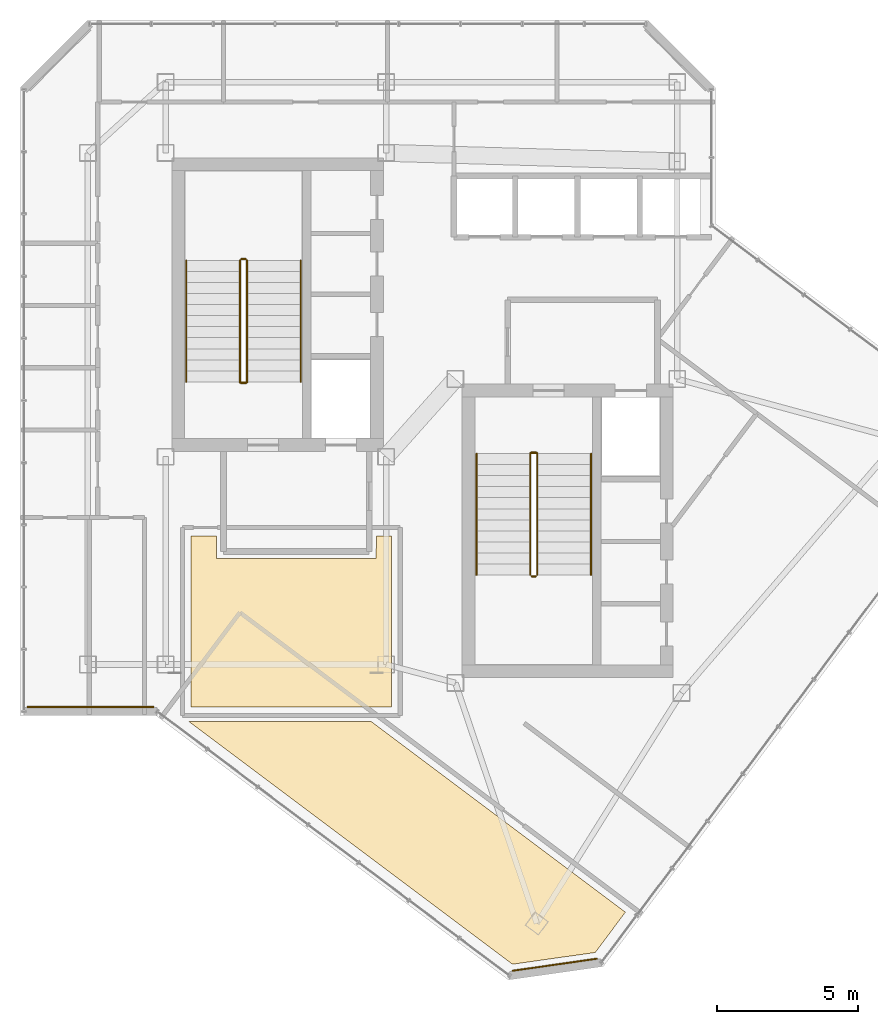
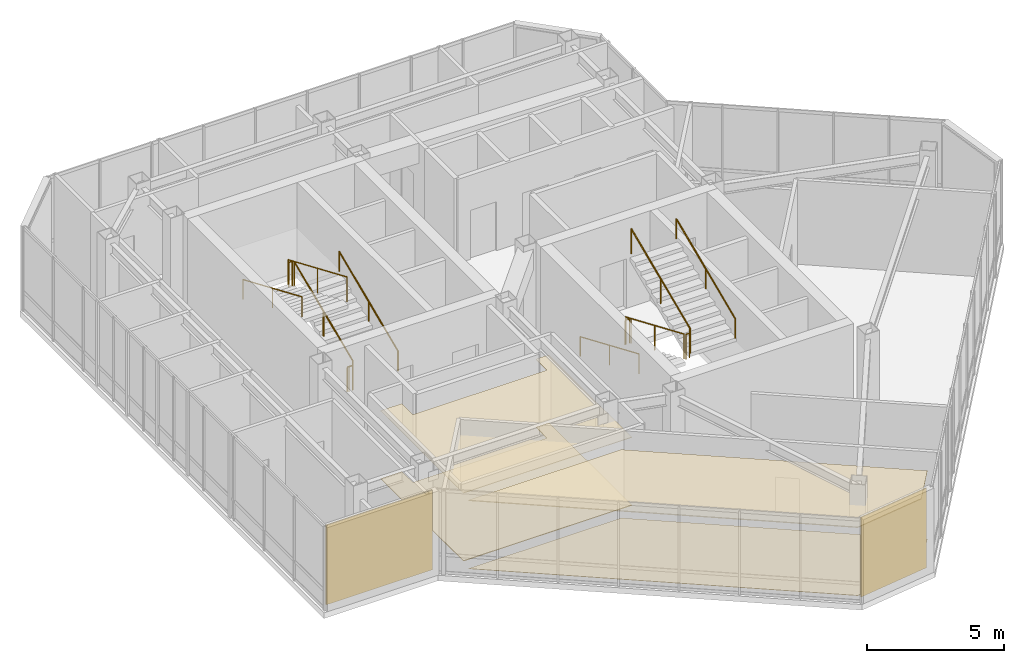
# One storey, part 29 of 30: 14 railings, 6 coverings.
"""IFC4 building model written with IfcOpenShell, lengths in metres."""

from ifc_helpers import new_model, si_unit, direction, frame, origin, origin_2d, place, context, subcontext, project, spatial, polyline, rectangle, circle, outline, extrude, material, layer, layer_set, type_object, element, save


model = new_model("IFC4")

# Units and contexts
model_context = context("Model", 3, precision=1e-05, world=origin(), true_north=direction((0.0, 1.0)))
body_context = subcontext(model_context, "Body", "Model", "MODEL_VIEW")
ifc_project = project(units=[si_unit("LENGTHUNIT", "METRE"), si_unit("AREAUNIT", "SQUARE_METRE"), si_unit("VOLUMEUNIT", "CUBIC_METRE"), si_unit("PLANEANGLEUNIT", "RADIAN"), si_unit("MASSUNIT", "GRAM", prefix="KILO")], contexts=[model_context])

# Site, building, storey
site_placement = place(None, origin())
site = spatial("IfcSite", under=ifc_project, at=site_placement, CompositionType="ELEMENT")
building_placement = place(site_placement, origin())
building = spatial("IfcBuilding", under=site, at=building_placement, Name="Hatsunagi Terrace Concourse", CompositionType="ELEMENT")
storey_placement = place(building_placement, frame((0.0, 0.0, 273.949951171875)))
storey = spatial("IfcBuildingStorey", under=building, at=storey_placement, Name="L72", CompositionType="ELEMENT", Elevation=273.949951171875)

# Coverings
ifc_material_1 = material(Name="Acoustic mineral board", Category="gypsum")
ifc_layer_1 = layer(ifc_material_1, 0.02001953125)
ifc_layer_set_1 = layer_set([ifc_layer_1], Name="AcousticMineralCeiling_20")
covering_type_1 = type_object("IfcCoveringType", Name="AcousticMineralCeiling_20", PredefinedType="CEILING", material=ifc_layer_set_1)
covering_1_placement = place(storey_placement, frame((0.0, 0.0, 3.030029296875)))
element("IfcCovering", 1, at=covering_1_placement, inside=storey, type_object=covering_type_1, Name="Suspended Ceiling L72-2", PredefinedType="CEILING", context=body_context, shape_type="SweptSolid", body=[
    extrude(outline(polyline([(33.550048828125, 29.75), (33.006103515625, 29.75), (32.9990234375, 28.94189453125), (27.35205078125, 28.94189453125), (27.343994140625, 29.75), (26.449951171875, 29.75), (26.449951171875, 23.699951171875), (33.550048828125, 23.699951171875), (33.550048828125, 29.75)])), origin(), (0.0, 0.0, 1.0), 0.02001953125),
])
ifc_material_2 = material(Name="Granite stone paving", Category="masonry")
ifc_layer_2 = layer(ifc_material_2, 0.02490234375)
ifc_layer_set_2 = layer_set([ifc_layer_2], Name="GraniteStoneFlooring_25")
covering_type_2 = type_object("IfcCoveringType", Name="GraniteStoneFlooring_25", PredefinedType="FLOORING", material=ifc_layer_set_2)
covering_2_placement = place(storey_placement, origin())
element("IfcCovering", 2, at=covering_2_placement, inside=storey, type_object=covering_type_2, Name="Finished Flooring L72-2", PredefinedType="FLOORING", context=body_context, shape_type="SweptSolid", body=[
    extrude(outline(polyline([(33.550048828125, 29.75), (33.006103515625, 29.75), (32.9990234375, 28.94189453125), (27.35205078125, 28.94189453125), (27.343994140625, 29.75), (26.449951171875, 29.75), (26.449951171875, 23.699951171875), (33.550048828125, 23.699951171875), (33.550048828125, 29.75)])), origin(), (0.0, 0.0, 1.0), 0.025146484375),
])
ifc_material_3 = material(Name="Hardwood timber", Category="wood")
ifc_layer_3 = layer(ifc_material_3, 0.014892578125)
ifc_layer_set_3 = layer_set([ifc_layer_3], Name="HardwoodTimberFlooring_15")
covering_type_3 = type_object("IfcCoveringType", Name="HardwoodTimberFlooring_15", PredefinedType="FLOORING", material=ifc_layer_set_3)
covering_3_placement = place(storey_placement, origin())
element("IfcCovering", 3, at=covering_3_placement, inside=storey, type_object=covering_type_3, Name="Finished Flooring L72-1", PredefinedType="FLOORING", context=body_context, shape_type="SweptSolid", body=[
    extrude(outline(polyline([(26.361083984375, 23.19189453125), (37.822021484375, 14.595947265625), (40.748046875, 15.013916015625), (41.81591796875, 16.43798828125), (32.81103515625, 23.19189453125), (26.361083984375, 23.19189453125)])), origin(), (0.0, 0.0, 1.0), 0.01513671875),
])

# Railings
ifc_material_4 = material(Name="Stainless steel", Category="steel")
ifc_layer_4 = layer(ifc_material_4, 0.044921875)
ifc_layer_set_4 = layer_set([ifc_layer_4], Name="StairPitchHandrail_Tower2000")
railing_type_1 = type_object("IfcRailingType", Name="StairPitchHandrail_Tower2000", PredefinedType="HANDRAIL", material=ifc_layer_set_4)
railing_1_placement = place(storey_placement, frame((30.330078125, 35.199951171875, 0.166748046875)))
element("IfcRailing", 4, at=railing_1_placement, inside=storey, type_object=railing_type_1, Name="L72 ST-A stair handrail 1", PredefinedType="HANDRAIL", context=body_context, shape_type="SweptSolid", body=[
    extrude(circle(Radius=0.02392578125, at=origin_2d()), frame((0.0, 0.0, 0.8759765625), z_axis=(0.0, 0.919558658016, 0.39295276366), x_axis=(-1.0, 0.0, 0.0)), (0.0, 0.0, 1.0), 4.665283203125),
    extrude(circle(Radius=0.02099609375, at=origin_2d()), origin(), (0.0, 0.0, 1.0), 0.851806640625),
    extrude(circle(Radius=0.02099609375, at=origin_2d()), frame((0.0, 2.14501953125, 0.91650390625)), (0.0, 0.0, 1.0), 0.851806640625),
    extrude(circle(Radius=0.02099609375, at=origin_2d()), frame((0.0, 4.2900390625, 1.833251953125)), (0.0, 0.0, 1.0), 0.851806640625),
])
railing_2_placement = place(storey_placement, frame((26.280029296875, 39.489990234375, 2.166748046875)))
element("IfcRailing", 5, at=railing_2_placement, inside=storey, type_object=railing_type_1, Name="L72 ST-A stair handrail 2", PredefinedType="HANDRAIL", context=body_context, shape_type="SweptSolid", body=[
    extrude(circle(Radius=0.02392578125, at=origin_2d()), frame((0.0, 0.0, 0.8759765625), z_axis=(0.0, -0.919558658016, 0.39295276366), x_axis=(1.0, 0.0, 0.0)), (0.0, 0.0, 1.0), 4.665283203125),
    extrude(circle(Radius=0.02099609375, at=origin_2d()), origin(), (0.0, 0.0, 1.0), 0.851806640625),
    extrude(circle(Radius=0.02099609375, at=origin_2d()), frame((0.0, -2.14501953125, 0.91650390625)), (0.0, 0.0, 1.0), 0.851806640625),
    extrude(circle(Radius=0.02099609375, at=origin_2d()), frame((0.0, -4.2900390625, 1.833251953125)), (0.0, 0.0, 1.0), 0.851806640625),
])
railing_3_placement = place(storey_placement, frame((36.550048828125, 32.659912109375, 0.166748046875)))
element("IfcRailing", 6, at=railing_3_placement, inside=storey, type_object=railing_type_1, Name="L72 ST-B stair handrail 1", PredefinedType="HANDRAIL", context=body_context, shape_type="SweptSolid", body=[
    extrude(circle(Radius=0.02392578125, at=origin_2d()), frame((0.0, 0.0, 0.8759765625), z_axis=(0.0, -0.919550576919, 0.392971673899), x_axis=(1.0, 0.0, 0.0)), (0.0, 0.0, 1.0), 4.6650390625),
    extrude(circle(Radius=0.02099609375, at=origin_2d()), origin(), (0.0, 0.0, 1.0), 0.851806640625),
    extrude(circle(Radius=0.02099609375, at=origin_2d()), frame((0.0, -2.14501953125, 0.91650390625)), (0.0, 0.0, 1.0), 0.851806640625),
    extrude(circle(Radius=0.02099609375, at=origin_2d()), frame((0.0, -4.289794921875, 1.833251953125)), (0.0, 0.0, 1.0), 0.851806640625),
])
railing_4_placement = place(storey_placement, frame((40.60009765625, 28.3701171875, 2.166748046875)))
element("IfcRailing", 7, at=railing_4_placement, inside=storey, type_object=railing_type_1, Name="L72 ST-B stair handrail 2", PredefinedType="HANDRAIL", context=body_context, shape_type="SweptSolid", body=[
    extrude(circle(Radius=0.02392578125, at=origin_2d()), frame((0.0, 0.0, 0.8759765625), z_axis=(0.0, 0.919550576919, 0.392971673899), x_axis=(-1.0, 0.0, 0.0)), (0.0, 0.0, 1.0), 4.6650390625),
    extrude(circle(Radius=0.02099609375, at=origin_2d()), origin(), (0.0, 0.0, 1.0), 0.851806640625),
    extrude(circle(Radius=0.02099609375, at=origin_2d()), frame((0.0, 2.14501953125, 0.91650390625)), (0.0, 0.0, 1.0), 0.851806640625),
    extrude(circle(Radius=0.02099609375, at=origin_2d()), frame((0.0, 4.289794921875, 1.833251953125)), (0.0, 0.0, 1.0), 0.851806640625),
])
ifc_material_5 = material(Name="Stainless steel", Category="steel")
ifc_layer_5 = layer(ifc_material_5, 0.06005859375)
ifc_layer_set_5 = layer_set([ifc_layer_5], Name="StairWellGuard_Tower2000")
railing_type_2 = type_object("IfcRailingType", Name="StairWellGuard_Tower2000", PredefinedType="BALUSTRADE", material=ifc_layer_set_5)
railing_5_placement = place(storey_placement, frame((28.429931640625, 35.199951171875, 0.166748046875)))
element("IfcRailing", 8, at=railing_5_placement, inside=storey, type_object=railing_type_2, Name="L72 ST-A stair guard 1", PredefinedType="BALUSTRADE", context=body_context, shape_type="SweptSolid", body=[
    extrude(circle(Radius=0.02392578125, at=origin_2d()), frame((0.0, 0.0, 1.09619140625), z_axis=(0.0, 0.919558658016, 0.39295276366), x_axis=(-1.0, 0.0, 0.0)), (0.0, 0.0, 1.0), 4.665283203125),
    extrude(circle(Radius=0.02099609375, at=origin_2d()), origin(), (0.0, 0.0, 1.0), 1.072021484375),
    extrude(circle(Radius=0.02099609375, at=origin_2d()), frame((0.0, 2.14501953125, 0.91650390625)), (0.0, 0.0, 1.0), 1.072021484375),
    extrude(circle(Radius=0.02099609375, at=origin_2d()), frame((0.0, 4.2900390625, 1.833251953125)), (0.0, 0.0, 1.0), 1.072021484375),
])
railing_6_placement = place(storey_placement, frame((28.3798828125, 39.5400390625, 2.0)))
element("IfcRailing", 9, at=railing_6_placement, inside=storey, type_object=railing_type_2, Name="L72 ST-A stair guard 2", PredefinedType="BALUSTRADE", context=body_context, shape_type="SweptSolid", body=[
    extrude(circle(Radius=0.02392578125, at=origin_2d()), frame((0.0, 0.0, 1.09619140625), z_axis=(-1.0, 0.0, 0.0), x_axis=(0.0, -1.0, 0.0)), (0.0, 0.0, 1.0), 0.14990234375),
    extrude(circle(Radius=0.02099609375, at=origin_2d()), origin(), (0.0, 0.0, 1.0), 1.072021484375),
    extrude(circle(Radius=0.02099609375, at=origin_2d()), frame((-0.14990234375, 0.0, 0.0)), (0.0, 0.0, 1.0), 1.072021484375),
])
railing_7_placement = place(storey_placement, frame((28.179931640625, 39.489990234375, 2.166748046875)))
element("IfcRailing", 10, at=railing_7_placement, inside=storey, type_object=railing_type_2, Name="L72 ST-A stair guard 3", PredefinedType="BALUSTRADE", context=body_context, shape_type="SweptSolid", body=[
    extrude(circle(Radius=0.02392578125, at=origin_2d()), frame((0.0, 0.0, 1.09619140625), z_axis=(0.0, -0.919558658016, 0.39295276366), x_axis=(1.0, 0.0, 0.0)), (0.0, 0.0, 1.0), 4.665283203125),
    extrude(circle(Radius=0.02099609375, at=origin_2d()), origin(), (0.0, 0.0, 1.0), 1.072021484375),
    extrude(circle(Radius=0.02099609375, at=origin_2d()), frame((0.0, -2.14501953125, 0.91650390625)), (0.0, 0.0, 1.0), 1.072021484375),
    extrude(circle(Radius=0.02099609375, at=origin_2d()), frame((0.0, -4.2900390625, 1.833251953125)), (0.0, 0.0, 1.0), 1.072021484375),
])
railing_8_placement = place(storey_placement, frame((28.3798828125, 35.14990234375, 0.0)))
element("IfcRailing", 11, at=railing_8_placement, inside=storey, type_object=railing_type_2, Name="L72 ST-A stair guard 4", PredefinedType="BALUSTRADE", context=body_context, shape_type="SweptSolid", body=[
    extrude(circle(Radius=0.02392578125, at=origin_2d()), frame((0.0, 0.0, 1.09619140625), z_axis=(-1.0, 0.0, 0.0), x_axis=(0.0, -1.0, 0.0)), (0.0, 0.0, 1.0), 0.14990234375),
    extrude(circle(Radius=0.02099609375, at=origin_2d()), origin(), (0.0, 0.0, 1.0), 1.072021484375),
    extrude(circle(Radius=0.02099609375, at=origin_2d()), frame((-0.14990234375, 0.0, 0.0)), (0.0, 0.0, 1.0), 1.072021484375),
])
railing_9_placement = place(storey_placement, frame((38.449951171875, 32.659912109375, 0.166748046875)))
element("IfcRailing", 12, at=railing_9_placement, inside=storey, type_object=railing_type_2, Name="L72 ST-B stair guard 1", PredefinedType="BALUSTRADE", context=body_context, shape_type="SweptSolid", body=[
    extrude(circle(Radius=0.02392578125, at=origin_2d()), frame((0.0, 0.0, 1.09619140625), z_axis=(0.0, -0.919550576919, 0.392971673899), x_axis=(1.0, 0.0, 0.0)), (0.0, 0.0, 1.0), 4.6650390625),
    extrude(circle(Radius=0.02099609375, at=origin_2d()), origin(), (0.0, 0.0, 1.0), 1.072021484375),
    extrude(circle(Radius=0.02099609375, at=origin_2d()), frame((0.0, -2.14501953125, 0.91650390625)), (0.0, 0.0, 1.0), 1.072021484375),
    extrude(circle(Radius=0.02099609375, at=origin_2d()), frame((0.0, -4.289794921875, 1.833251953125)), (0.0, 0.0, 1.0), 1.072021484375),
])
railing_10_placement = place(storey_placement, frame((38.5, 28.320068359375, 2.0)))
element("IfcRailing", 13, at=railing_10_placement, inside=storey, type_object=railing_type_2, Name="L72 ST-B stair guard 2", PredefinedType="BALUSTRADE", context=body_context, shape_type="SweptSolid", body=[
    extrude(circle(Radius=0.02392578125, at=origin_2d()), frame((0.0, 0.0, 1.09619140625), z_axis=(1.0, 0.0, 0.0), x_axis=(0.0, 1.0, 0.0)), (0.0, 0.0, 1.0), 0.14990234375),
    extrude(circle(Radius=0.02099609375, at=origin_2d()), origin(), (0.0, 0.0, 1.0), 1.072021484375),
    extrude(circle(Radius=0.02099609375, at=origin_2d()), frame((0.14990234375, 0.0, 0.0)), (0.0, 0.0, 1.0), 1.072021484375),
])
railing_11_placement = place(storey_placement, frame((38.699951171875, 28.3701171875, 2.166748046875)))
element("IfcRailing", 14, at=railing_11_placement, inside=storey, type_object=railing_type_2, Name="L72 ST-B stair guard 3", PredefinedType="BALUSTRADE", context=body_context, shape_type="SweptSolid", body=[
    extrude(circle(Radius=0.02392578125, at=origin_2d()), frame((0.0, 0.0, 1.09619140625), z_axis=(0.0, 0.919550576919, 0.392971673899), x_axis=(-1.0, 0.0, 0.0)), (0.0, 0.0, 1.0), 4.6650390625),
    extrude(circle(Radius=0.02099609375, at=origin_2d()), origin(), (0.0, 0.0, 1.0), 1.072021484375),
    extrude(circle(Radius=0.02099609375, at=origin_2d()), frame((0.0, 2.14501953125, 0.91650390625)), (0.0, 0.0, 1.0), 1.072021484375),
    extrude(circle(Radius=0.02099609375, at=origin_2d()), frame((0.0, 4.289794921875, 1.833251953125)), (0.0, 0.0, 1.0), 1.072021484375),
])
railing_12_placement = place(storey_placement, frame((38.5, 32.7099609375, 0.0)))
element("IfcRailing", 15, at=railing_12_placement, inside=storey, type_object=railing_type_2, Name="L72 ST-B stair guard 4", PredefinedType="BALUSTRADE", context=body_context, shape_type="SweptSolid", body=[
    extrude(circle(Radius=0.02392578125, at=origin_2d()), frame((0.0, 0.0, 1.09619140625), z_axis=(1.0, 0.0, 0.0), x_axis=(0.0, 1.0, 0.0)), (0.0, 0.0, 1.0), 0.14990234375),
    extrude(circle(Radius=0.02099609375, at=origin_2d()), origin(), (0.0, 0.0, 1.0), 1.072021484375),
    extrude(circle(Radius=0.02099609375, at=origin_2d()), frame((0.14990234375, 0.0, 0.0)), (0.0, 0.0, 1.0), 1.072021484375),
])
ifc_material_6 = material(Name="Stainless Steel SUS316 Post-and-Rail Guard", Category="steel")
ifc_layer_6 = layer(ifc_material_6, 0.080078125)
ifc_layer_set_6 = layer_set([ifc_layer_6], Name="TerracePlantedGuardRail_1200")
railing_type_3 = type_object("IfcRailingType", Name="TerracePlantedGuardRail_1200", PredefinedType="GUARDRAIL", material=ifc_layer_set_6)
for number, where, name in (
    (16, (28.179931640625, 35.179931640625, 0.0), "Stair ST-A Well Closure Guard L72"),
    (17, (38.449951171875, 32.679931640625, 0.0), "Stair ST-B Well Closure Guard L72"),
):
    element("IfcRailing", number, at=place(storey_placement, frame(where)), inside=storey, type_object=railing_type_3, Name=name, PredefinedType="GUARDRAIL", context=body_context, shape_type="SweptSolid", body=[
        extrude(circle(Radius=0.02392578125, at=origin_2d()), frame((0.0, 0.0, 1.09619140625), z_axis=(1.0, 0.0, 0.0), x_axis=(0.0, 1.0, 0.0)), (0.0, 0.0, 1.0), 0.25),
        extrude(circle(Radius=0.02099609375, at=origin_2d()), origin(), (0.0, 0.0, 1.0), 1.072021484375),
        extrude(circle(Radius=0.02099609375, at=origin_2d()), frame((0.25, 0.0, 0.0)), (0.0, 0.0, 1.0), 1.072021484375),
    ])

# Coverings
ifc_material_7 = material(Name="Unglazed Warm Terracotta Rainscreen Tile", Category="masonry")
ifc_layer_7 = layer(ifc_material_7, 0.044921875)
ifc_layer_set_7 = layer_set([ifc_layer_7], Name="TerracottaRainscreenCladding_45")
covering_type_4 = type_object("IfcCoveringType", Name="TerracottaRainscreenCladding_45", PredefinedType="CLADDING", material=ifc_layer_set_7)
covering_4_placement = place(storey_placement, frame((39.318115234375, 14.5791015625, 0.10009765625), z_axis=(0.0, 0.0, 1.0), x_axis=(-0.989973920543, -0.141250262458, 0.0)))
element("IfcCovering", 18, at=covering_4_placement, inside=storey, type_object=covering_type_4, Name="Terracotta Rainscreen Cladding L72-04", PredefinedType="CLADDING", context=body_context, shape_type="SweptSolid", body=[
    extrude(rectangle(XDim=3.0380859375, YDim=0.044921875, at=origin_2d()), origin(), (0.0, 0.0, 1.0), 3.550048828125),
])
covering_5_placement = place(storey_placement, frame((22.89306640625, 23.701904296875, 0.10009765625), z_axis=(0.0, 0.0, 1.0), x_axis=(-1.0, 0.0, 0.0)))
element("IfcCovering", 19, at=covering_5_placement, inside=storey, type_object=covering_type_4, Name="Terracotta Rainscreen Cladding L72-06", PredefinedType="CLADDING", context=body_context, shape_type="SweptSolid", body=[
    extrude(rectangle(XDim=4.467041015625, YDim=0.044921875, at=origin_2d()), origin(), (0.0, 0.0, 1.0), 3.550048828125),
])
ifc_material_8 = material(Name="Hardwood timber", Category="wood")
ifc_layer_8 = layer(ifc_material_8, 0.034912109375)
ifc_layer_set_8 = layer_set([ifc_layer_8], Name="TimberBaffleCeiling_35")
covering_type_5 = type_object("IfcCoveringType", Name="TimberBaffleCeiling_35", PredefinedType="CEILING", material=ifc_layer_set_8)
covering_6_placement = place(storey_placement, frame((0.0, 0.0, 3.030029296875)))
element("IfcCovering", 20, at=covering_6_placement, inside=storey, type_object=covering_type_5, Name="Suspended Ceiling L72-1", PredefinedType="CEILING", context=body_context, shape_type="SweptSolid", body=[
    extrude(outline(polyline([(26.361083984375, 23.19189453125), (37.822021484375, 14.595947265625), (40.748046875, 15.013916015625), (41.81591796875, 16.43798828125), (32.81103515625, 23.19189453125), (26.361083984375, 23.19189453125)])), origin(), (0.0, 0.0, 1.0), 0.034912109375),
])

save(model, "model.ifc")
